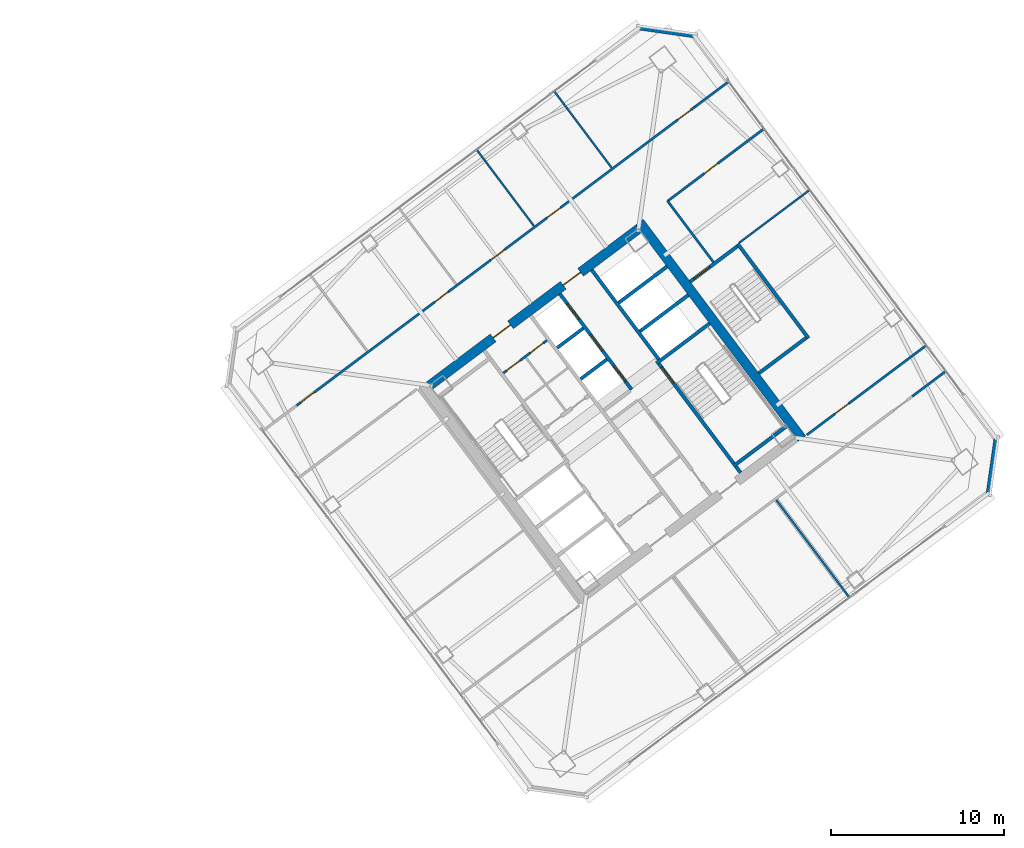
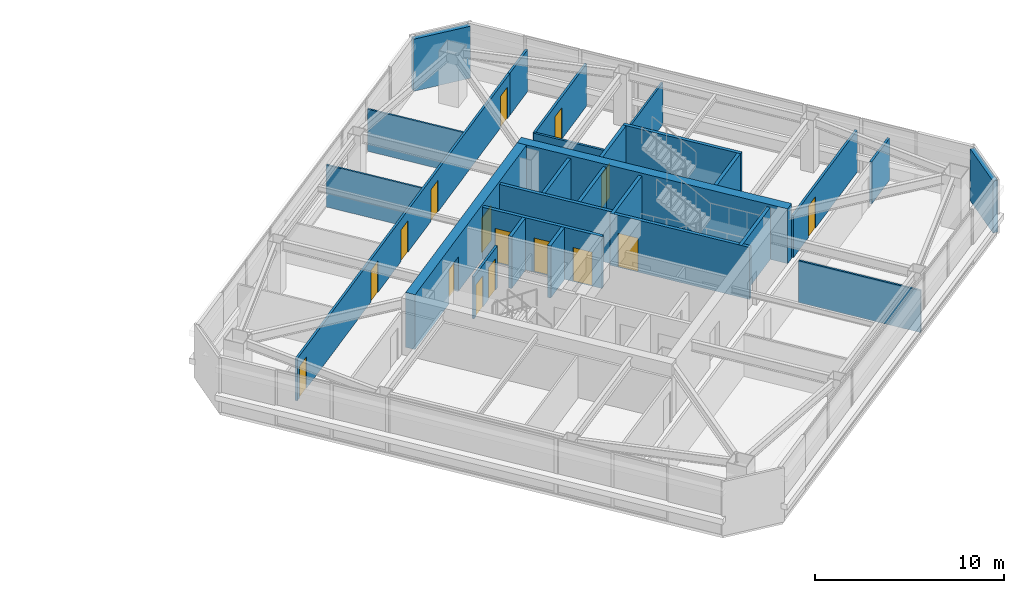
# One storey, part 36 of 43: 27 walls, 16 doors, 16 openings.
"""IFC4 building model written with IfcOpenShell, lengths in metres."""

import ifcopenshell
import ifcopenshell.guid

model = None  # the IFC model being written
_history = None  # IfcOwnerHistory: only IFC2X3 demands one
_inside = {}  # id of a spatial element -> (the spatial element, [elements in it])
_under = {}  # id of a project, library or spatial element -> (it, [spatial elements below it])
_declared = {}  # id of a project -> (the project, [libraries it declares])
_typed = {}  # id of a type object -> (the type object, [elements of that type])
_made_of = {}  # id of a material, layer set ... -> (it, [elements and type objects made of it])


def new_model(schema):
    """Start an empty IFC model of exactly this schema.

    Asked for "IFC4X3", IfcOpenShell would pick the latest addendum, in which some entities
    have other attributes; the version numbers below select the first issue.
    IFC2X3 requires an IfcOwnerHistory on every rooted entity: one is made here for all.
    """
    global model, _history
    if schema == "IFC4X3":
        model = ifcopenshell.file(schema_version=(4, 3, 0, 0))
    else:
        model = ifcopenshell.file(schema=schema)
    _inside.clear()
    _under.clear()
    _declared.clear()
    _typed.clear()
    _made_of.clear()
    _history = None
    if model.schema == "IFC2X3":
        org = make("IfcOrganization", Name="unknown")
        user = make(
            "IfcPersonAndOrganization",
            ThePerson=make("IfcPerson", FamilyName="unknown"),
            TheOrganization=org,
        )
        app = make(
            "IfcApplication",
            ApplicationDeveloper=org,
            Version="unknown",
            ApplicationFullName="unknown",
            ApplicationIdentifier="unknown",
        )
        _history = make(
            "IfcOwnerHistory",
            OwningUser=user,
            OwningApplication=app,
            ChangeAction="ADDED",
            CreationDate=0,
        )
    return model


def make(cls, **values):
    """One entity of the class cls with the attributes given. An attribute that is None is left unset."""
    return model.create_entity(
        cls, **{name: value for name, value in values.items() if value is not None}
    )


def rooted(cls, **values):
    """An entity with a GlobalId (a new one), such as an element, a storey or a relation."""
    return make(cls, GlobalId=ifcopenshell.guid.new(), OwnerHistory=_history, **values)


def si_unit(unit_type, name, prefix=None):
    """IfcSIUnit, for example si_unit("LENGTHUNIT", "METRE", prefix="MILLI")."""
    return make("IfcSIUnit", UnitType=unit_type, Prefix=prefix, Name=name)


def assignment(units):
    """IfcUnitAssignment: the units of a project."""
    return None if units is None else make("IfcUnitAssignment", Units=units)


def point(xyz):
    """IfcCartesianPoint."""
    return None if xyz is None else make("IfcCartesianPoint", Coordinates=xyz)


def direction(xyz):
    """IfcDirection."""
    return None if xyz is None else make("IfcDirection", DirectionRatios=xyz)


def frame(location, z_axis=None, x_axis=None):
    """IfcAxis2Placement3D, a coordinate frame: its origin and axes. An axis left out is left unset."""
    return make(
        "IfcAxis2Placement3D",
        Location=point(location),
        Axis=direction(z_axis),
        RefDirection=direction(x_axis),
    )


def frame_2d(location, x_axis=None):
    """IfcAxis2Placement2D, a coordinate frame in the plane: its origin and x axis."""
    return make(
        "IfcAxis2Placement2D", Location=point(location), RefDirection=direction(x_axis)
    )


def origin():
    """The frame at (0, 0, 0) with its axes left unset."""
    return frame((0.0, 0.0, 0.0))


def place(relative_to, where):
    """IfcLocalPlacement: puts the frame where relative to a parent placement (None: the world)."""
    return make(
        "IfcLocalPlacement", PlacementRelTo=relative_to, RelativePlacement=where
    )


def context(
    kind, dimensions, precision=None, world=None, true_north=None, identifier=None
):
    """IfcGeometricRepresentationContext, for example the 3D "Model" context."""
    return make(
        "IfcGeometricRepresentationContext",
        ContextIdentifier=identifier,
        ContextType=kind,
        CoordinateSpaceDimension=dimensions,
        Precision=precision,
        WorldCoordinateSystem=world,
        TrueNorth=true_north,
    )


def subcontext(parent, identifier, kind, view, scale=None):
    """IfcGeometricRepresentationSubContext, for example "Body" below "Model"."""
    return make(
        "IfcGeometricRepresentationSubContext",
        ContextIdentifier=identifier,
        ContextType=kind,
        ParentContext=parent,
        TargetScale=scale,
        TargetView=view,
    )


def project(units=None, contexts=None):
    """IfcProject with its units and contexts."""
    return rooted(
        "IfcProject",
        Name="project",
        RepresentationContexts=contexts,
        UnitsInContext=assignment(units),
    )


def spatial(cls, under=None, at=None, **own):
    """A site, building, storey or space (cls), placed at a placement, below another one or the project."""
    s = rooted(cls, ObjectPlacement=at, **own)
    if under is not None:
        _under.setdefault(under.id(), (under, []))[1].append(s)
    return s


def profile(cls, at=None, kind="AREA", **sizes):
    """A parametric profile (cls). Its sizes go by their IFC names, for example OverallWidth=200.0."""
    return make(cls, ProfileType=kind, Position=at, **sizes)


def rectangle(**sizes):
    """IfcRectangleProfileDef."""
    return profile("IfcRectangleProfileDef", **sizes)


def extrude(swept, where, along, depth):
    """IfcExtrudedAreaSolid: the profile swept, set in the frame where, extruded along a direction by depth."""
    return make(
        "IfcExtrudedAreaSolid",
        SweptArea=swept,
        Position=where,
        ExtrudedDirection=direction(along),
        Depth=depth,
    )


def shape(context_of_items, identifier, shape_type, items):
    """IfcShapeRepresentation: the items that make up one representation, for example the "Body"."""
    return make(
        "IfcShapeRepresentation",
        ContextOfItems=context_of_items,
        RepresentationIdentifier=identifier,
        RepresentationType=shape_type,
        Items=items,
    )


def material(Name=None, Category=None):
    """IfcMaterial."""
    return make("IfcMaterial", Name=Name, Category=Category)


def layer(
    of_material, thickness, ventilated=None, Name=None, Category=None, Priority=None
):
    """IfcMaterialLayer: one layer of a wall or slab, of a material (None: an air gap)."""
    return make(
        "IfcMaterialLayer",
        Material=of_material,
        LayerThickness=thickness,
        IsVentilated=ventilated,
        Name=Name,
        Category=Category,
        Priority=Priority,
    )


def layer_set(layers, Name=None):
    """IfcMaterialLayerSet."""
    return make("IfcMaterialLayerSet", MaterialLayers=layers, LayerSetName=Name)


def made_of(thing, what):
    """Note that an element or type object is made of a material, layer set ...; save() writes the relation."""
    if what is not None:
        _made_of.setdefault(what.id(), (what, []))[1].append(thing)
    return thing


def type_object(cls, material=None, **own):
    """A type object (cls), such as IfcWallType, which elements share."""
    return made_of(rooted(cls, **own), material)


def element(
    cls,
    number,
    at=None,
    inside=None,
    cuts=None,
    type_object=None,
    material=None,
    context=None,
    identifier="Body",
    shape_type=None,
    held_by="IfcProductDefinitionShape",
    body=None,
    shapes=None,
    **own,
):
    """One element of the class cls, such as IfcWall. Its Tag is "e" and its number.

    at: its placement. inside: the storey or other place that contains it. cuts: it is an
    opening in that element (IfcRelVoidsElement). A single representation is given by context,
    identifier, shape_type and body (its items); several are given by shapes. held_by: the class
    of the entity that holds the representations. save() writes the other relations.
    """
    e = rooted(cls, Tag="e%d" % number, ObjectPlacement=at, **own)
    if body is not None:
        shapes = [shape(context, identifier, shape_type, body)]
    if shapes is not None:
        e.Representation = make(held_by, Representations=shapes)
    if inside is not None:
        _inside.setdefault(inside.id(), (inside, []))[1].append(e)
    if cuts is not None:
        rooted(
            "IfcRelVoidsElement", RelatingBuildingElement=cuts, RelatedOpeningElement=e
        )
    if type_object is not None:
        _typed.setdefault(type_object.id(), (type_object, []))[1].append(e)
    return made_of(e, material)


def fill(opening, filler):
    """IfcRelFillsElement: the door or window that sits in an opening."""
    return rooted(
        "IfcRelFillsElement",
        RelatingOpeningElement=opening,
        RelatedBuildingElement=filler,
    )


def aggregate(whole, parts):
    """IfcRelAggregates: a whole, such as a stair, and the parts it consists of."""
    return rooted("IfcRelAggregates", RelatingObject=whole, RelatedObjects=parts)


def save(model, path):
    """Write the relations noted so far, then the file.

    IfcRelAggregates (storeys below a building ...), IfcRelContainedInSpatialStructure (elements
    in a storey), IfcRelDefinesByType, IfcRelAssociatesMaterial and IfcRelDeclares: one each for
    every whole, place, type object, material and project.
    """
    for whole, parts in _under.values():
        aggregate(whole, parts)
    for where, things in _inside.values():
        rooted(
            "IfcRelContainedInSpatialStructure",
            RelatedElements=things,
            RelatingStructure=where,
        )
    for kind, things in _typed.values():
        rooted("IfcRelDefinesByType", RelatedObjects=things, RelatingType=kind)
    for what, things in _made_of.values():
        rooted("IfcRelAssociatesMaterial", RelatedObjects=things, RelatingMaterial=what)
    for by, libraries in _declared.values():
        rooted("IfcRelDeclares", RelatingContext=by, RelatedDefinitions=libraries)
    model.write(path)


model = new_model("IFC4")

# Units and contexts
model_context = context("Model", 3, precision=1e-05, world=origin(), true_north=direction((0.0, 1.0)))
body_context = subcontext(model_context, "Body", "Model", "MODEL_VIEW")
ifc_project = project(units=[si_unit("LENGTHUNIT", "METRE"), si_unit("AREAUNIT", "SQUARE_METRE"), si_unit("VOLUMEUNIT", "CUBIC_METRE"), si_unit("PLANEANGLEUNIT", "RADIAN"), si_unit("MASSUNIT", "GRAM", prefix="KILO")], contexts=[model_context])

# Site, building, storey
site_placement = place(None, origin())
site = spatial("IfcSite", under=ifc_project, at=site_placement, CompositionType="ELEMENT")
building_placement = place(site_placement, origin())
building = spatial("IfcBuilding", under=site, at=building_placement, Name="Tashvorn Skyway Center", CompositionType="ELEMENT")
storey_placement = place(building_placement, frame((0.0, 0.0, 160.550048828125)))
storey = spatial("IfcBuildingStorey", under=building, at=storey_placement, Name="L43", CompositionType="ELEMENT", Elevation=160.550048828125)

# Wall
ifc_material_1 = material(Name="Concrete C60/75", Category="concrete")
ifc_layer_1 = layer(ifc_material_1, 0.550048828125)
ifc_layer_set_1 = layer_set([ifc_layer_1], Name="Concrete C60/75")
wall_type_1 = type_object("IfcWallType", Name="WALL-CORE-550", PredefinedType="SHEAR", material=ifc_layer_set_1)
wall_1_placement = place(storey_placement, frame((115.56396484375, 42.923095703125, 0.0), z_axis=(0.0, 0.0, 1.0), x_axis=(0.600005007985, -0.799996243986, 0.0)))
element("IfcWall", 1, at=wall_1_placement, inside=storey, type_object=wall_type_1, Name="Tower 2 L43 East Core Shear Wall", PredefinedType="SHEAR", context=body_context, shape_type="SweptSolid", body=[
    extrude(rectangle(XDim=15.60009765625, YDim=0.550048828125, at=frame_2d((7.800048828125, 0.0))), origin(), (0.0, 0.0, 1.0), 3.550048828125),
])

# Wall, openings, doors
wall_2_placement = place(storey_placement, frame((103.4609375, 33.501953125, 0.0), z_axis=(0.0, 0.0, 1.0), x_axis=(0.799998054672, 0.600002593761, 0.0)))
wall_2 = element("IfcWall", 2, at=wall_2_placement, inside=storey, type_object=wall_type_1, Name="Tower 2 L43 North Core Shear Wall", PredefinedType="SHEAR", context=body_context, shape_type="SweptSolid", body=[
    extrude(rectangle(XDim=15.06005859375, YDim=0.550048828125, at=frame_2d((7.530029296875, 0.0))), origin(), (0.0, 0.0, 1.0), 3.550048828125),
])
opening_1_placement = place(wall_2_placement, frame((4.580078125, 0.0, 0.0)))
opening_1 = element("IfcOpeningElement", 3, at=opening_1_placement, cuts=wall_2, Name="Opening D-FFL-1250", PredefinedType="OPENING", context=body_context, shape_type="SweptSolid", body=[
    extrude(rectangle(XDim=1.25, YDim=2.25, at=frame_2d((0.625, 1.125))), frame((0.0, 0.284912109375, 0.0), z_axis=(0.0, -1.0, 0.0), x_axis=(1.0, 0.0, 0.0)), (0.0, 0.0, 1.0), 0.570068359375),
])
opening_2_placement = place(wall_2_placement, frame((9.6298828125, 0.0, 0.0)))
opening_2 = element("IfcOpeningElement", 4, at=opening_2_placement, cuts=wall_2, Name="Opening D-FFL-1250", PredefinedType="OPENING", context=body_context, shape_type="SweptSolid", body=[
    extrude(rectangle(XDim=1.25, YDim=2.25, at=frame_2d((0.625, 1.125))), frame((0.0, 0.284912109375, 0.0), z_axis=(0.0, -1.0, 0.0), x_axis=(1.0, 0.0, 0.0)), (0.0, 0.0, 1.0), 0.570068359375),
])
ifc_material_2 = material(Name="Hollow galvanized steel fire door assembly", Category="steel")
door_type_1 = type_object("IfcDoorType", Name="DOOR-FFL-1250", OperationType="NOTDEFINED", PredefinedType="DOOR", material=ifc_material_2)
door_1_placement = place(opening_1_placement, origin())
door_1 = element("IfcDoor", 5, at=door_1_placement, inside=storey, type_object=door_type_1, Name="Tower 2 L43 Core North Service Lobby Door", OperationType="SINGLE_SWING_LEFT", OverallHeight=2.25, OverallWidth=1.25, PredefinedType="DOOR", context=body_context, shape_type="SweptSolid", body=[
    extrude(rectangle(XDim=1.25, YDim=2.25, at=frame_2d((0.625, 1.125))), frame((0.0, 0.02490234375, 0.0), z_axis=(0.0, -1.0, 0.0), x_axis=(1.0, 0.0, 0.0)), (0.0, 0.0, 1.0), 0.050048828125),
])
fill(opening_1, door_1)
door_2_placement = place(opening_2_placement, origin())
door_2 = element("IfcDoor", 6, at=door_2_placement, inside=storey, type_object=door_type_1, Name="Tower 2 L43 Core North Lift Lobby Door", OperationType="SINGLE_SWING_RIGHT", OverallHeight=2.25, OverallWidth=1.25, PredefinedType="DOOR", context=body_context, shape_type="SweptSolid", body=[
    extrude(rectangle(XDim=1.25, YDim=2.25, at=frame_2d((0.625, 1.125))), frame((0.0, 0.02490234375, 0.0), z_axis=(0.0, -1.0, 0.0), x_axis=(1.0, 0.0, 0.0)), (0.0, 0.0, 1.0), 0.050048828125),
])
fill(opening_2, door_2)

# Walls
ifc_material_3 = material(Name="Precast concrete C40/50", Category="concrete")
ifc_layer_2 = layer(ifc_material_3, 0.280029296875)
ifc_layer_set_2 = layer_set([ifc_layer_2], Name="Precast concrete C40/50")
wall_type_2 = type_object("IfcWallType", Name="WALL-EXT-280", PredefinedType="SOLIDWALL", material=ifc_layer_set_2)
for number, where, z_axis, x_axis, name in (
    (7, (115.52001953125, 54.139892578125, 0.0), (0.0, 0.0, 1.0), (0.989950994782, -0.141410847992, 0.0), "Tower 2 L43 NE Precast Chamfer Wall"),
    (8, (136.139892578125, 30.47998046875, 0.0), (0.0, 0.0, 1.0), (-0.141410847992, -0.989950994782, 0.0), "Tower 2 L43 SE Precast Chamfer Wall"),
):
    element("IfcWall", number, at=place(storey_placement, frame(where, z_axis=z_axis, x_axis=x_axis)), inside=storey, type_object=wall_type_2, Name=name, PredefinedType="SOLIDWALL", context=body_context, shape_type="SweptSolid", body=[
        extrude(rectangle(XDim=3.252685546875, YDim=0.280029296875, at=frame_2d((1.62646484375, 0.0))), origin(), (0.0, 0.0, 1.0), 3.369873046875),
    ])
ifc_material_4 = material(Name="Gypsum board on cold-formed steel stud framing", Category="steel")
ifc_layer_3 = layer(ifc_material_4, 0.110107421875)
ifc_layer_set_3 = layer_set([ifc_layer_3], Name="Gypsum board on cold-formed steel stud framing")
wall_type_3 = type_object("IfcWallType", Name="WALL-PART-110", PredefinedType="PARTITIONING", material=ifc_layer_set_3)
wall_3_placement = place(storey_placement, frame((109.471923828125, 42.7041015625, 0.0), z_axis=(0.0, 0.0, 1.0), x_axis=(-0.599985794856, 0.800010653661, 0.0)))
element("IfcWall", 9, at=wall_3_placement, inside=storey, type_object=wall_type_3, Name="Tower 2 L43 North Suite Partition 3", PredefinedType="PARTITIONING", context=body_context, shape_type="SweptSolid", body=[
    extrude(rectangle(XDim=5.499755859375, YDim=0.110107421875, at=frame_2d((2.75, 0.0))), origin(), (0.0, 0.0, 1.0), 2.722900390625),
])
wall_4_placement = place(storey_placement, frame((113.951904296875, 46.06396484375, 0.0), z_axis=(0.0, 0.0, 1.0), x_axis=(-0.599964488045, 0.800026632735, 0.0)))
element("IfcWall", 10, at=wall_4_placement, inside=storey, type_object=wall_type_3, Name="Tower 2 L43 North Suite Partition 4", PredefinedType="PARTITIONING", context=body_context, shape_type="SweptSolid", body=[
    extrude(rectangle(XDim=5.5, YDim=0.110107421875, at=frame_2d((2.75, 0.0))), origin(), (0.0, 0.0, 1.0), 2.722900390625),
])
wall_5_placement = place(storey_placement, frame((127.66796875, 21.27587890625, 0.0), z_axis=(0.0, 0.0, 1.0), x_axis=(-0.6, 0.8, 0.0)))
element("IfcWall", 11, at=wall_5_placement, inside=storey, type_object=wall_type_3, Name="Tower 2 L43 South Suite Partition 2", PredefinedType="PARTITIONING", context=body_context, shape_type="SweptSolid", body=[
    extrude(rectangle(XDim=7.030029296875, YDim=0.110107421875, at=frame_2d((3.51513671875, 0.0))), origin(), (0.0, 0.0, 1.0), 2.722900390625),
])
wall_6_placement = place(storey_placement, frame((125.384033203125, 44.7880859375, 0.0), z_axis=(0.0, 0.0, 1.0), x_axis=(-0.8, -0.6, 0.0)))
element("IfcWall", 12, at=wall_6_placement, inside=storey, type_object=wall_type_3, Name="Tower 2 L43 East Suite Partition 1", PredefinedType="PARTITIONING", context=body_context, shape_type="SweptSolid", body=[
    extrude(rectangle(XDim=5.10009765625, YDim=0.110107421875, at=frame_2d((2.550048828125, 0.0))), origin(), (0.0, 0.0, 1.0), 2.722900390625),
])
ifc_layer_4 = layer(ifc_material_4, 0.135009765625)
ifc_layer_set_4 = layer_set([ifc_layer_4], Name="Gypsum board on cold-formed steel stud framing")
wall_type_4 = type_object("IfcWallType", Name="WALL-PART-135", PredefinedType="PARTITIONING", material=ifc_layer_set_4)
wall_7_placement = place(storey_placement, frame((119.823974609375, 40.617919921875, 0.0), z_axis=(0.0, 0.0, 1.0), x_axis=(-0.599982243973, 0.800013316712, 0.0)))
element("IfcWall", 13, at=wall_7_placement, inside=storey, type_object=wall_type_4, Name="Tower 2 L43 Stair 3 Access Corridor Wall", PredefinedType="PARTITIONING", context=body_context, shape_type="SweptSolid", body=[
    extrude(rectangle(XDim=4.39990234375, YDim=0.135009765625, at=frame_2d((2.199951171875, 0.0))), origin(), (0.0, 0.0, 1.0), 2.722900390625),
])

# Wall, openings, doors
wall_8_placement = place(storey_placement, frame((95.800048828125, 32.35009765625, 0.0), z_axis=(0.0, 0.0, 1.0), x_axis=(0.8, 0.6, 0.0)))
wall_8 = element("IfcWall", 14, at=wall_8_placement, inside=storey, type_object=wall_type_4, Name="Tower 2 L43 North Suite Wall", PredefinedType="PARTITIONING", context=body_context, shape_type="SweptSolid", body=[
    extrude(rectangle(XDim=28.699951171875, YDim=0.135009765625, at=frame_2d((14.35009765625, 0.0))), origin(), (0.0, 0.0, 1.0), 2.722900390625),
])
opening_3_placement = place(wall_8_placement, frame((0.300048828125, 0.0, 0.0)))
opening_3 = element("IfcOpeningElement", 15, at=opening_3_placement, cuts=wall_8, Name="Opening D-INT-950", PredefinedType="OPENING", context=body_context, shape_type="SweptSolid", body=[
    extrude(rectangle(XDim=0.949951171875, YDim=2.050048828125, at=frame_2d((0.47509765625, 1.02490234375))), frame((0.0, 0.077392578125, 0.0), z_axis=(0.0, -1.0, 0.0), x_axis=(1.0, 0.0, 0.0)), (0.0, 0.0, 1.0), 0.155029296875),
])
opening_4_placement = place(wall_8_placement, frame((9.95947265625, 0.0, 0.0)))
opening_4 = element("IfcOpeningElement", 16, at=opening_4_placement, cuts=wall_8, Name="Opening D-INT-950", PredefinedType="OPENING", context=body_context, shape_type="SweptSolid", body=[
    extrude(rectangle(XDim=0.949951171875, YDim=2.050048828125, at=frame_2d((0.47509765625, 1.02490234375))), frame((0.0, 0.077392578125, 0.0), z_axis=(0.0, -1.0, 0.0), x_axis=(1.0, 0.0, 0.0)), (0.0, 0.0, 1.0), 0.155029296875),
])
opening_5_placement = place(wall_8_placement, frame((14.004638671875, 0.0, 0.0)))
opening_5 = element("IfcOpeningElement", 17, at=opening_5_placement, cuts=wall_8, Name="Opening D-INT-950", PredefinedType="OPENING", context=body_context, shape_type="SweptSolid", body=[
    extrude(rectangle(XDim=0.949951171875, YDim=2.050048828125, at=frame_2d((0.47509765625, 1.02490234375))), frame((0.0, 0.077392578125, 0.0), z_axis=(0.0, -1.0, 0.0), x_axis=(1.0, 0.0, 0.0)), (0.0, 0.0, 1.0), 0.155029296875),
])
opening_6_placement = place(wall_8_placement, frame((18.048583984375, 0.0, 0.0)))
opening_6 = element("IfcOpeningElement", 18, at=opening_6_placement, cuts=wall_8, Name="Opening D-INT-950", PredefinedType="OPENING", context=body_context, shape_type="SweptSolid", body=[
    extrude(rectangle(XDim=0.949951171875, YDim=2.050048828125, at=frame_2d((0.47509765625, 1.02490234375))), frame((0.0, 0.077392578125, 0.0), z_axis=(0.0, -1.0, 0.0), x_axis=(1.0, 0.0, 0.0)), (0.0, 0.0, 1.0), 0.155029296875),
])
opening_7_placement = place(wall_8_placement, frame((27.449951171875, 0.0, 0.0)))
opening_7 = element("IfcOpeningElement", 19, at=opening_7_placement, cuts=wall_8, Name="Opening D-INT-950", PredefinedType="OPENING", context=body_context, shape_type="SweptSolid", body=[
    extrude(rectangle(XDim=0.949951171875, YDim=2.050048828125, at=frame_2d((0.47509765625, 1.02490234375))), frame((0.0, 0.077392578125, 0.0), z_axis=(0.0, -1.0, 0.0), x_axis=(1.0, 0.0, 0.0)), (0.0, 0.0, 1.0), 0.155029296875),
])
ifc_material_5 = material(Name="Solid-core architectural oak veneer door")
door_type_2 = type_object("IfcDoorType", Name="DOOR-INT-950", OperationType="NOTDEFINED", PredefinedType="DOOR", material=ifc_material_5)
door_3_placement = place(opening_3_placement, origin())
door_3 = element("IfcDoor", 20, at=door_3_placement, inside=storey, type_object=door_type_2, Name="Tower 2 L43 Research Library Door", OperationType="SINGLE_SWING_LEFT", OverallHeight=2.050048828125, OverallWidth=0.949951171875, PredefinedType="DOOR", context=body_context, shape_type="SweptSolid", body=[
    extrude(rectangle(XDim=0.949951171875, YDim=2.050048828125, at=frame_2d((0.47509765625, 1.02490234375))), frame((0.0, 0.02490234375, 0.0), z_axis=(0.0, -1.0, 0.0), x_axis=(1.0, 0.0, 0.0)), (0.0, 0.0, 1.0), 0.050048828125),
])
fill(opening_3, door_3)
door_4_placement = place(opening_4_placement, origin())
door_4 = element("IfcDoor", 21, at=door_4_placement, inside=storey, type_object=door_type_2, Name="Tower 2 L43 Research Library Door", OperationType="SINGLE_SWING_RIGHT", OverallHeight=2.050048828125, OverallWidth=0.949951171875, PredefinedType="DOOR", context=body_context, shape_type="SweptSolid", body=[
    extrude(rectangle(XDim=0.949951171875, YDim=2.050048828125, at=frame_2d((0.47509765625, 1.02490234375))), frame((0.0, 0.02490234375, 0.0), z_axis=(0.0, -1.0, 0.0), x_axis=(1.0, 0.0, 0.0)), (0.0, 0.0, 1.0), 0.050048828125),
])
fill(opening_4, door_4)
door_5_placement = place(opening_5_placement, origin())
door_5 = element("IfcDoor", 22, at=door_5_placement, inside=storey, type_object=door_type_2, Name="Tower 2 L43 Staff Fitness Club Door", OperationType="SINGLE_SWING_LEFT", OverallHeight=2.050048828125, OverallWidth=0.949951171875, PredefinedType="DOOR", context=body_context, shape_type="SweptSolid", body=[
    extrude(rectangle(XDim=0.949951171875, YDim=2.050048828125, at=frame_2d((0.47509765625, 1.02490234375))), frame((0.0, 0.02490234375, 0.0), z_axis=(0.0, -1.0, 0.0), x_axis=(1.0, 0.0, 0.0)), (0.0, 0.0, 1.0), 0.050048828125),
])
fill(opening_5, door_5)
door_6_placement = place(opening_6_placement, origin())
door_6 = element("IfcDoor", 23, at=door_6_placement, inside=storey, type_object=door_type_2, Name="Tower 2 L43 Research Library Door", OperationType="SINGLE_SWING_RIGHT", OverallHeight=2.050048828125, OverallWidth=0.949951171875, PredefinedType="DOOR", context=body_context, shape_type="SweptSolid", body=[
    extrude(rectangle(XDim=0.949951171875, YDim=2.050048828125, at=frame_2d((0.47509765625, 1.02490234375))), frame((0.0, 0.02490234375, 0.0), z_axis=(0.0, -1.0, 0.0), x_axis=(1.0, 0.0, 0.0)), (0.0, 0.0, 1.0), 0.050048828125),
])
fill(opening_6, door_6)
door_7_placement = place(opening_7_placement, origin())
door_7 = element("IfcDoor", 24, at=door_7_placement, inside=storey, type_object=door_type_2, Name="Tower 2 L43 Research Library Door", OperationType="SINGLE_SWING_LEFT", OverallHeight=2.050048828125, OverallWidth=0.949951171875, PredefinedType="DOOR", context=body_context, shape_type="SweptSolid", body=[
    extrude(rectangle(XDim=0.949951171875, YDim=2.050048828125, at=frame_2d((0.47509765625, 1.02490234375))), frame((0.0, 0.02490234375, 0.0), z_axis=(0.0, -1.0, 0.0), x_axis=(1.0, 0.0, 0.0)), (0.0, 0.0, 1.0), 0.050048828125),
])
fill(opening_7, door_7)

# Walls
for number, where, z_axis, x_axis, name in (
    (25, (118.760009765625, 49.570068359375, 0.0), (0.0, 0.0, 1.0), (0.800012055778, 0.599983925293, 0.0), "Tower 2 L43 North-East Suite South Wall"),
    (26, (131.281982421875, 32.8740234375, 0.0), (0.0, 0.0, 1.0), (0.800012055778, 0.599983925293, 0.0), "Tower 2 L43 South-East Suite North Wall"),
):
    element("IfcWall", number, at=place(storey_placement, frame(where, z_axis=z_axis, x_axis=x_axis)), inside=storey, type_object=wall_type_4, Name=name, PredefinedType="PARTITIONING", context=body_context, shape_type="SweptSolid", body=[
        extrude(rectangle(XDim=2.43017578125, YDim=0.135009765625, at=frame_2d((1.215087890625, 0.0))), origin(), (0.0, 0.0, 1.0), 2.722900390625),
    ])

# Wall, opening, door
wall_9_placement = place(storey_placement, frame((122.743896484375, 48.30810546875, 0.0), z_axis=(0.0, 0.0, 1.0), x_axis=(-0.79997892247, -0.600028102345, 0.0)))
wall_9 = element("IfcWall", 27, at=wall_9_placement, inside=storey, type_object=wall_type_4, Name="Tower 2 L43 East Suite North Wall", PredefinedType="PARTITIONING", context=body_context, shape_type="SweptSolid", body=[
    extrude(rectangle(XDim=6.949951171875, YDim=0.135009765625, at=frame_2d((3.47509765625, 0.0))), origin(), (0.0, 0.0, 1.0), 2.722900390625),
])
opening_8_placement = place(wall_9_placement, frame((3.35009765625, 0.0, 0.0)))
opening_8 = element("IfcOpeningElement", 28, at=opening_8_placement, cuts=wall_9, Name="Opening D-INT-950", PredefinedType="OPENING", context=body_context, shape_type="SweptSolid", body=[
    extrude(rectangle(XDim=0.949951171875, YDim=2.050048828125, at=frame_2d((0.47509765625, 1.02490234375))), frame((0.0, 0.077392578125, 0.0), z_axis=(0.0, -1.0, 0.0), x_axis=(1.0, 0.0, 0.0)), (0.0, 0.0, 1.0), 0.155029296875),
])
door_8_placement = place(opening_8_placement, origin())
door_8 = element("IfcDoor", 29, at=door_8_placement, inside=storey, type_object=door_type_2, Name="Tower 2 L43 Research Library Door", OperationType="SINGLE_SWING_LEFT", OverallHeight=2.050048828125, OverallWidth=0.949951171875, PredefinedType="DOOR", context=body_context, shape_type="SweptSolid", body=[
    extrude(rectangle(XDim=0.949951171875, YDim=2.050048828125, at=frame_2d((0.47509765625, 1.02490234375))), frame((0.0, 0.02490234375, 0.0), z_axis=(0.0, -1.0, 0.0), x_axis=(1.0, 0.0, 0.0)), (0.0, 0.0, 1.0), 0.050048828125),
])
fill(opening_8, door_8)

wall_10_placement = place(storey_placement, frame((125.2080078125, 30.656005859375, 0.0), z_axis=(0.0, 0.0, 1.0), x_axis=(0.800006797429, 0.599990936654, 0.0)))
wall_10 = element("IfcWall", 30, at=wall_10_placement, inside=storey, type_object=wall_type_4, Name="Tower 2 L43 East Suite South Wall", PredefinedType="PARTITIONING", context=body_context, shape_type="SweptSolid", body=[
    extrude(rectangle(XDim=8.619873046875, YDim=0.135009765625, at=frame_2d((4.31005859375, 0.0))), origin(), (0.0, 0.0, 1.0), 2.722900390625),
])
opening_9_placement = place(wall_10_placement, frame((2.044921875, 0.0, 0.0)))
opening_9 = element("IfcOpeningElement", 31, at=opening_9_placement, cuts=wall_10, Name="Opening D-INT-950", PredefinedType="OPENING", context=body_context, shape_type="SweptSolid", body=[
    extrude(rectangle(XDim=0.949951171875, YDim=2.050048828125, at=frame_2d((0.47509765625, 1.02490234375))), frame((0.0, 0.077392578125, 0.0), z_axis=(0.0, -1.0, 0.0), x_axis=(1.0, 0.0, 0.0)), (0.0, 0.0, 1.0), 0.155029296875),
])
door_9_placement = place(opening_9_placement, origin())
door_9 = element("IfcDoor", 32, at=door_9_placement, inside=storey, type_object=door_type_2, Name="Tower 2 L43 Public Restroom Door", OperationType="SINGLE_SWING_RIGHT", OverallHeight=2.050048828125, OverallWidth=0.949951171875, PredefinedType="DOOR", context=body_context, shape_type="SweptSolid", body=[
    extrude(rectangle(XDim=0.949951171875, YDim=2.050048828125, at=frame_2d((0.47509765625, 1.02490234375))), frame((0.0, 0.02490234375, 0.0), z_axis=(0.0, -1.0, 0.0), x_axis=(1.0, 0.0, 0.0)), (0.0, 0.0, 1.0), 0.050048828125),
])
fill(opening_9, door_9)

# Wall, openings, doors
ifc_layer_5 = layer(ifc_material_4, 0.135009765625)
ifc_layer_set_5 = layer_set([ifc_layer_5], Name="Gypsum board on cold-formed steel stud framing")
wall_type_5 = type_object("IfcWallType", Name="WALL-RATED-135", PredefinedType="PARTITIONING", material=ifc_layer_set_5)
wall_11_placement = place(storey_placement, frame((107.7099609375, 34.219970703125, 0.0), z_axis=(0.0, 0.0, 1.0), x_axis=(0.799981399002, 0.60002480053, 0.0)))
wall_11 = element("IfcWall", 33, at=wall_11_placement, inside=storey, type_object=wall_type_5, Name="Tower 2 L43 Core Service Lobby Wall", PredefinedType="PARTITIONING", context=body_context, shape_type="SweptSolid", body=[
    extrude(rectangle(XDim=3.150146484375, YDim=0.135009765625, at=frame_2d((1.5751953125, 0.0))), origin(), (0.0, 0.0, 1.0), 2.722900390625),
])
opening_10_placement = place(wall_11_placement, frame((0.25, 0.0, 0.0)))
opening_10 = element("IfcOpeningElement", 34, at=opening_10_placement, cuts=wall_11, Name="Opening D-RT-950", PredefinedType="OPENING", context=body_context, shape_type="SweptSolid", body=[
    extrude(rectangle(XDim=0.949951171875, YDim=2.050048828125, at=frame_2d((0.47509765625, 1.02490234375))), frame((0.0, 0.077392578125, 0.0), z_axis=(0.0, -1.0, 0.0), x_axis=(1.0, 0.0, 0.0)), (0.0, 0.0, 1.0), 0.155029296875),
])
opening_11_placement = place(wall_11_placement, frame((1.949951171875, 0.0, 0.0)))
opening_11 = element("IfcOpeningElement", 35, at=opening_11_placement, cuts=wall_11, Name="Opening D-RT-950", PredefinedType="OPENING", context=body_context, shape_type="SweptSolid", body=[
    extrude(rectangle(XDim=0.949951171875, YDim=2.050048828125, at=frame_2d((0.47509765625, 1.02490234375))), frame((0.0, 0.077392578125, 0.0), z_axis=(0.0, -1.0, 0.0), x_axis=(1.0, 0.0, 0.0)), (0.0, 0.0, 1.0), 0.155029296875),
])
door_type_3 = type_object("IfcDoorType", Name="DOOR-RATED-950", OperationType="NOTDEFINED", PredefinedType="DOOR", material=ifc_material_2)
door_10_placement = place(opening_10_placement, origin())
door_10 = element("IfcDoor", 36, at=door_10_placement, inside=storey, type_object=door_type_3, Name="Tower 2 L43 Core Cleaner Store Door", OperationType="SINGLE_SWING_LEFT", OverallHeight=2.050048828125, OverallWidth=0.949951171875, PredefinedType="DOOR", context=body_context, shape_type="SweptSolid", body=[
    extrude(rectangle(XDim=0.949951171875, YDim=2.050048828125, at=frame_2d((0.47509765625, 1.02490234375))), frame((0.0, 0.02490234375, 0.0), z_axis=(0.0, -1.0, 0.0), x_axis=(1.0, 0.0, 0.0)), (0.0, 0.0, 1.0), 0.050048828125),
])
fill(opening_10, door_10)
door_11_placement = place(opening_11_placement, origin())
door_11 = element("IfcDoor", 37, at=door_11_placement, inside=storey, type_object=door_type_3, Name="Tower 2 L43 Core Accessible WC Door", OperationType="SINGLE_SWING_RIGHT", OverallHeight=2.050048828125, OverallWidth=0.949951171875, PredefinedType="DOOR", context=body_context, shape_type="SweptSolid", body=[
    extrude(rectangle(XDim=0.949951171875, YDim=2.050048828125, at=frame_2d((0.47509765625, 1.02490234375))), frame((0.0, 0.02490234375, 0.0), z_axis=(0.0, -1.0, 0.0), x_axis=(1.0, 0.0, 0.0)), (0.0, 0.0, 1.0), 0.050048828125),
])
fill(opening_11, door_11)

# Walls
ifc_material_6 = material(Name="Concrete C40/50", Category="concrete")
ifc_layer_6 = layer(ifc_material_6, 0.199951171875)
ifc_layer_set_6 = layer_set([ifc_layer_6], Name="Concrete C40/50")
wall_type_6 = type_object("IfcWallType", Name="WALL-SHAFT-200", PredefinedType="SOLIDWALL", material=ifc_layer_set_6)
for number, where, z_axis, x_axis, name in (
    (38, (115.590087890625, 36.6298828125, 0.0), (0.0, 0.0, 1.0), (0.799974743577, 0.600033673754, 0.0), "Tower 2 L43 High-Rise Shaft Divider"),
    (39, (114.360107421875, 38.27001953125, 0.0), (0.0, 0.0, 1.0), (0.800008418847, 0.599988774707, 0.0), "Tower 2 L43 High-Rise Shaft Divider"),
):
    element("IfcWall", number, at=place(storey_placement, frame(where, z_axis=z_axis, x_axis=x_axis)), inside=storey, type_object=wall_type_6, Name=name, PredefinedType="SOLIDWALL", context=body_context, shape_type="SweptSolid", body=[
        extrude(rectangle(XDim=3.47998046875, YDim=0.199951171875, at=frame_2d((1.739990234375, 0.0))), origin(), (0.0, 0.0, 1.0), 3.369873046875),
    ])

# Wall, openings, doors
wall_12_placement = place(storey_placement, frame((115.110107421875, 33.27001953125, 0.0), z_axis=(0.0, 0.0, 1.0), x_axis=(-0.600011322243, 0.799991508192, 0.0)))
wall_12 = element("IfcWall", 40, at=wall_12_placement, inside=storey, type_object=wall_type_6, Name="Tower 2 L43 Mid-Rise Core Wall", PredefinedType="SOLIDWALL", context=body_context, shape_type="SweptSolid", body=[
    extrude(rectangle(XDim=6.900146484375, YDim=0.199951171875, at=frame_2d((3.4501953125, 0.0))), origin(), (0.0, 0.0, 1.0), 3.369873046875),
])
opening_12_placement = place(wall_12_placement, frame((0.574951171875, 0.0, 0.0)))
opening_12 = element("IfcOpeningElement", 41, at=opening_12_placement, cuts=wall_12, Name="Opening LD-MR-T2-1-L43", PredefinedType="OPENING", context=body_context, shape_type="SweptSolid", body=[
    extrude(rectangle(XDim=1.10009765625, YDim=2.199951171875, at=frame_2d((0.550048828125, 1.10009765625))), frame((0.0, 0.10986328125, 0.0), z_axis=(0.0, -1.0, 0.0), x_axis=(1.0, 0.0, 0.0)), (0.0, 0.0, 1.0), 0.219970703125),
])
opening_13_placement = place(wall_12_placement, frame((2.824951171875, 0.0, 0.0)))
opening_13 = element("IfcOpeningElement", 42, at=opening_13_placement, cuts=wall_12, Name="Opening LD-MR-T2-2-L43", PredefinedType="OPENING", context=body_context, shape_type="SweptSolid", body=[
    extrude(rectangle(XDim=1.10009765625, YDim=2.199951171875, at=frame_2d((0.550048828125, 1.10009765625))), frame((0.0, 0.10986328125, 0.0), z_axis=(0.0, -1.0, 0.0), x_axis=(1.0, 0.0, 0.0)), (0.0, 0.0, 1.0), 0.219970703125),
])
opening_14_placement = place(wall_12_placement, frame((5.074951171875, 0.0, 0.0)))
opening_14 = element("IfcOpeningElement", 43, at=opening_14_placement, cuts=wall_12, Name="Opening LD-MR-T2-3-L43", PredefinedType="OPENING", context=body_context, shape_type="SweptSolid", body=[
    extrude(rectangle(XDim=1.10009765625, YDim=2.199951171875, at=frame_2d((0.550048828125, 1.10009765625))), frame((0.0, 0.10986328125, 0.0), z_axis=(0.0, -1.0, 0.0), x_axis=(1.0, 0.0, 0.0)), (0.0, 0.0, 1.0), 0.219970703125),
])
ifc_material_7 = material(Name="Stainless steel landing door", Category="steel")
door_type_4 = type_object("IfcDoorType", Name="DOOR-LIFT-1100", OperationType="SLIDING_TO_LEFT", PredefinedType="DOOR", material=ifc_material_7)
door_12_placement = place(opening_12_placement, origin())
door_12 = element("IfcDoor", 44, at=door_12_placement, inside=storey, type_object=door_type_4, Name="Lift MR-T2-1 L43 Landing Door", OperationType="SLIDING_TO_LEFT", OverallHeight=2.199951171875, OverallWidth=1.10009765625, PredefinedType="DOOR", context=body_context, shape_type="SweptSolid", body=[
    extrude(rectangle(XDim=1.10009765625, YDim=2.199951171875, at=frame_2d((0.550048828125, 1.10009765625))), frame((0.0, 0.02490234375, 0.0), z_axis=(0.0, -1.0, 0.0), x_axis=(1.0, 0.0, 0.0)), (0.0, 0.0, 1.0), 0.050048828125),
])
fill(opening_12, door_12)
door_13_placement = place(opening_13_placement, origin())
door_13 = element("IfcDoor", 45, at=door_13_placement, inside=storey, type_object=door_type_4, Name="Lift MR-T2-2 L43 Landing Door", OperationType="SLIDING_TO_LEFT", OverallHeight=2.199951171875, OverallWidth=1.10009765625, PredefinedType="DOOR", context=body_context, shape_type="SweptSolid", body=[
    extrude(rectangle(XDim=1.10009765625, YDim=2.199951171875, at=frame_2d((0.550048828125, 1.10009765625))), frame((0.0, 0.02490234375, 0.0), z_axis=(0.0, -1.0, 0.0), x_axis=(1.0, 0.0, 0.0)), (0.0, 0.0, 1.0), 0.050048828125),
])
fill(opening_13, door_13)
door_14_placement = place(opening_14_placement, origin())
door_14 = element("IfcDoor", 46, at=door_14_placement, inside=storey, type_object=door_type_4, Name="Lift MR-T2-3 L43 Landing Door", OperationType="SLIDING_TO_LEFT", OverallHeight=2.199951171875, OverallWidth=1.10009765625, PredefinedType="DOOR", context=body_context, shape_type="SweptSolid", body=[
    extrude(rectangle(XDim=1.10009765625, YDim=2.199951171875, at=frame_2d((0.550048828125, 1.10009765625))), frame((0.0, 0.02490234375, 0.0), z_axis=(0.0, -1.0, 0.0), x_axis=(1.0, 0.0, 0.0)), (0.0, 0.0, 1.0), 0.050048828125),
])
fill(opening_14, door_14)

# Walls
wall_13_placement = place(storey_placement, frame((112.176025390625, 33.882080078125, 0.0), z_axis=(0.0, 0.0, 1.0), x_axis=(0.8, 0.6, 0.0)))
element("IfcWall", 47, at=wall_13_placement, inside=storey, type_object=wall_type_6, Name="Tower 2 L43 Mid-Rise Shaft Divider", PredefinedType="SOLIDWALL", context=body_context, shape_type="SweptSolid", body=[
    extrude(rectangle(XDim=1.8798828125, YDim=0.199951171875, at=frame_2d((0.93994140625, 0.0))), origin(), (0.0, 0.0, 1.0), 3.369873046875),
])
wall_14_placement = place(storey_placement, frame((110.825927734375, 35.681884765625, 0.0), z_axis=(0.0, 0.0, 1.0), x_axis=(0.799984418148, 0.600020775241, 0.0)))
element("IfcWall", 48, at=wall_14_placement, inside=storey, type_object=wall_type_6, Name="Tower 2 L43 Mid-Rise Shaft Divider", PredefinedType="SOLIDWALL", context=body_context, shape_type="SweptSolid", body=[
    extrude(rectangle(XDim=1.880126953125, YDim=0.199951171875, at=frame_2d((0.93994140625, 0.0))), origin(), (0.0, 0.0, 1.0), 3.369873046875),
])

# Wall, opening, door
ifc_layer_7 = layer(ifc_material_6, 0.199951171875)
ifc_layer_set_7 = layer_set([ifc_layer_7], Name="Concrete C40/50")
wall_type_7 = type_object("IfcWallType", Name="WALL-STSHF-200", PredefinedType="SHEAR", material=ifc_layer_set_7)
wall_15_placement = place(storey_placement, frame((116.56005859375, 34.919921875, 0.0), z_axis=(0.0, 0.0, 1.0), x_axis=(0.59999029481, -0.8000072788, 0.0)))
wall_15 = element("IfcWall", 49, at=wall_15_placement, inside=storey, type_object=wall_type_7, Name="Tower 2 L43 Stair 2 Enclosure Wall", PredefinedType="SHEAR", context=body_context, shape_type="SweptSolid", body=[
    extrude(rectangle(XDim=8.0498046875, YDim=0.199951171875, at=frame_2d((4.02490234375, 0.0))), origin(), (0.0, 0.0, 1.0), 3.369873046875),
])
opening_15_placement = place(wall_15_placement, frame((0.449951171875, 0.0, 0.0)))
opening_15 = element("IfcOpeningElement", 50, at=opening_15_placement, cuts=wall_15, Name="Opening D-ST-1150", PredefinedType="OPENING", context=body_context, shape_type="SweptSolid", body=[
    extrude(rectangle(XDim=1.14990234375, YDim=2.199951171875, at=frame_2d((0.574951171875, 1.10009765625))), frame((0.0, 0.10986328125, 0.0), z_axis=(0.0, -1.0, 0.0), x_axis=(1.0, 0.0, 0.0)), (0.0, 0.0, 1.0), 0.219970703125),
])
door_type_5 = type_object("IfcDoorType", Name="DOOR-STAIR-1150", OperationType="NOTDEFINED", PredefinedType="DOOR", material=ifc_material_2)
door_15_placement = place(opening_15_placement, origin())
door_15 = element("IfcDoor", 51, at=door_15_placement, inside=storey, type_object=door_type_5, Name="Tower 2 L43 Exit Stair 2 Door", OperationType="SINGLE_SWING_RIGHT", OverallHeight=2.199951171875, OverallWidth=1.14990234375, PredefinedType="DOOR", context=body_context, shape_type="SweptSolid", body=[
    extrude(rectangle(XDim=1.14990234375, YDim=2.199951171875, at=frame_2d((0.574951171875, 1.10009765625))), frame((0.0, 0.02490234375, 0.0), z_axis=(0.0, -1.0, 0.0), x_axis=(1.0, 0.0, 0.0)), (0.0, 0.0, 1.0), 0.050048828125),
])
fill(opening_15, door_15)

# Walls
for number, where, z_axis, x_axis, name in (
    (52, (116.5400390625, 34.780029296875, 0.0), (0.0, 0.0, 1.0), (0.800015298837, 0.599979601008, 0.0), "Tower 2 L43 Stair 2 North Wall"),
    (53, (120.97998046875, 28.860107421875, 0.0), (0.0, 0.0, 1.0), (0.800015298837, 0.599979601008, 0.0), "Tower 2 L43 Stair 2 South Wall"),
):
    element("IfcWall", number, at=place(storey_placement, frame(where, z_axis=z_axis, x_axis=x_axis)), inside=storey, type_object=wall_type_7, Name=name, PredefinedType="SHEAR", context=body_context, shape_type="SweptSolid", body=[
        extrude(rectangle(XDim=3.829833984375, YDim=0.199951171875, at=frame_2d((1.9150390625, 0.0))), origin(), (0.0, 0.0, 1.0), 3.369873046875),
    ])
wall_16_placement = place(storey_placement, frame((112.81005859375, 40.169921875, 0.0), z_axis=(0.0, 0.0, 1.0), x_axis=(0.599993943644, -0.800004542231, 0.0)))
element("IfcWall", 54, at=wall_16_placement, inside=storey, type_object=wall_type_7, Name="Tower 2 L43 High-Rise Lift Shaft Front Wall", PredefinedType="SHEAR", context=body_context, shape_type="SweptSolid", body=[
    extrude(rectangle(XDim=6.449951171875, YDim=0.199951171875, at=frame_2d((3.22509765625, 0.0))), origin(), (0.0, 0.0, 1.0), 3.369873046875),
])
wall_17_placement = place(storey_placement, frame((125.303955078125, 36.22802734375, 0.0), z_axis=(0.0, 0.0, 1.0), x_axis=(-0.59998851072, 0.800008616831, 0.0)))
element("IfcWall", 55, at=wall_17_placement, inside=storey, type_object=wall_type_7, Name="Tower 2 L43 Stair 3 Outer Wall", PredefinedType="SHEAR", context=body_context, shape_type="SweptSolid", body=[
    extrude(rectangle(XDim=6.7998046875, YDim=0.199951171875, at=frame_2d((3.39990234375, 0.0))), origin(), (0.0, 0.0, 1.0), 3.369873046875),
])

# Wall, opening, door
wall_18_placement = place(storey_placement, frame((121.2041015625, 41.528076171875, 0.0), z_axis=(0.0, 0.0, 1.0), x_axis=(-0.800017232136, -0.599977023131, 0.0)))
wall_18 = element("IfcWall", 56, at=wall_18_placement, inside=storey, type_object=wall_type_7, Name="Tower 2 L43 Stair 3 Enclosure Wall", PredefinedType="SHEAR", context=body_context, shape_type="SweptSolid", body=[
    extrude(rectangle(XDim=3.400146484375, YDim=0.199951171875, at=frame_2d((1.7001953125, 0.0))), origin(), (0.0, 0.0, 1.0), 3.369873046875),
])
opening_16_placement = place(wall_18_placement, frame((1.97509765625, 0.0, 0.0)))
opening_16 = element("IfcOpeningElement", 57, at=opening_16_placement, cuts=wall_18, Name="Opening D-ST-1150", PredefinedType="OPENING", context=body_context, shape_type="SweptSolid", body=[
    extrude(rectangle(XDim=1.14990234375, YDim=2.199951171875, at=frame_2d((0.574951171875, 1.10009765625))), frame((0.0, 0.10986328125, 0.0), z_axis=(0.0, -1.0, 0.0), x_axis=(1.0, 0.0, 0.0)), (0.0, 0.0, 1.0), 0.219970703125),
])
door_16_placement = place(opening_16_placement, origin())
door_16 = element("IfcDoor", 58, at=door_16_placement, inside=storey, type_object=door_type_5, Name="Tower 2 L43 Exit Stair 3 Door", OperationType="SINGLE_SWING_RIGHT", OverallHeight=2.199951171875, OverallWidth=1.14990234375, PredefinedType="DOOR", context=body_context, shape_type="SweptSolid", body=[
    extrude(rectangle(XDim=1.14990234375, YDim=2.199951171875, at=frame_2d((0.574951171875, 1.10009765625))), frame((0.0, 0.02490234375, 0.0), z_axis=(0.0, -1.0, 0.0), x_axis=(1.0, 0.0, 0.0)), (0.0, 0.0, 1.0), 0.050048828125),
])
fill(opening_16, door_16)

# Wall
wall_19_placement = place(storey_placement, frame((122.444091796875, 34.2080078125, 0.0), z_axis=(0.0, 0.0, 1.0), x_axis=(0.79999138319, 0.600011488909, 0.0)))
element("IfcWall", 59, at=wall_19_placement, inside=storey, type_object=wall_type_7, Name="Tower 2 L43 Stair 3 South Wall", PredefinedType="SHEAR", context=body_context, shape_type="SweptSolid", body=[
    extrude(rectangle(XDim=3.39990234375, YDim=0.199951171875, at=frame_2d((1.699951171875, 0.0))), origin(), (0.0, 0.0, 1.0), 3.369873046875),
])

save(model, "model.ifc")
